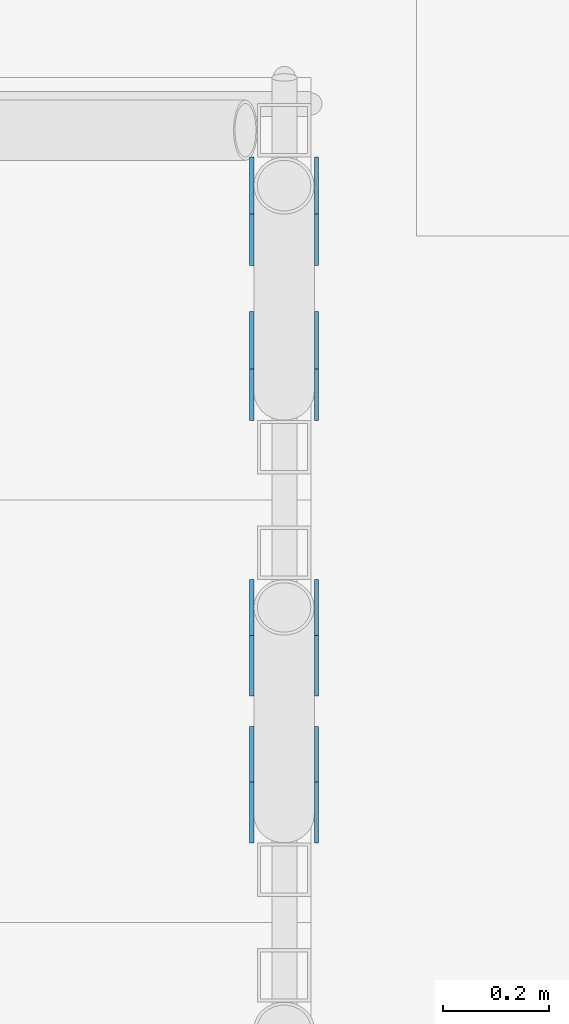
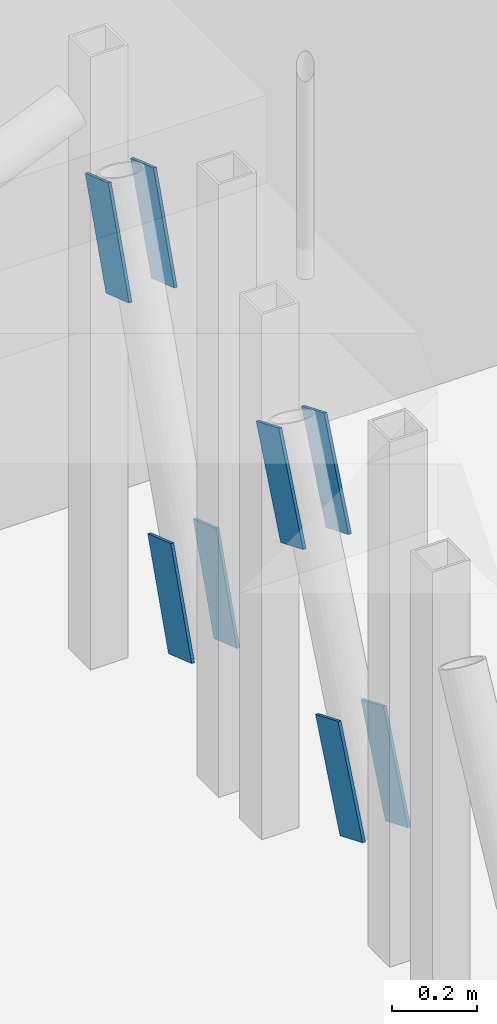
# One storey, part 102 of 139: 8 discrete accessories.
"""IFC4 building model written with IfcOpenShell, lengths in metres."""

import ifcopenshell
import ifcopenshell.guid

model = None  # the IFC model being written
_history = None  # IfcOwnerHistory: only IFC2X3 demands one
_inside = {}  # id of a spatial element -> (the spatial element, [elements in it])
_under = {}  # id of a project, library or spatial element -> (it, [spatial elements below it])
_declared = {}  # id of a project -> (the project, [libraries it declares])
_typed = {}  # id of a type object -> (the type object, [elements of that type])
_made_of = {}  # id of a material, layer set ... -> (it, [elements and type objects made of it])


def new_model(schema):
    """Start an empty IFC model of exactly this schema.

    Asked for "IFC4X3", IfcOpenShell would pick the latest addendum, in which some entities
    have other attributes; the version numbers below select the first issue.
    IFC2X3 requires an IfcOwnerHistory on every rooted entity: one is made here for all.
    """
    global model, _history
    if schema == "IFC4X3":
        model = ifcopenshell.file(schema_version=(4, 3, 0, 0))
    else:
        model = ifcopenshell.file(schema=schema)
    _inside.clear()
    _under.clear()
    _declared.clear()
    _typed.clear()
    _made_of.clear()
    _history = None
    if model.schema == "IFC2X3":
        org = make("IfcOrganization", Name="unknown")
        user = make(
            "IfcPersonAndOrganization",
            ThePerson=make("IfcPerson", FamilyName="unknown"),
            TheOrganization=org,
        )
        app = make(
            "IfcApplication",
            ApplicationDeveloper=org,
            Version="unknown",
            ApplicationFullName="unknown",
            ApplicationIdentifier="unknown",
        )
        _history = make(
            "IfcOwnerHistory",
            OwningUser=user,
            OwningApplication=app,
            ChangeAction="ADDED",
            CreationDate=0,
        )
    return model


def make(cls, **values):
    """One entity of the class cls with the attributes given. An attribute that is None is left unset."""
    return model.create_entity(
        cls, **{name: value for name, value in values.items() if value is not None}
    )


def rooted(cls, **values):
    """An entity with a GlobalId (a new one), such as an element, a storey or a relation."""
    return make(cls, GlobalId=ifcopenshell.guid.new(), OwnerHistory=_history, **values)


def si_unit(unit_type, name, prefix=None):
    """IfcSIUnit, for example si_unit("LENGTHUNIT", "METRE", prefix="MILLI")."""
    return make("IfcSIUnit", UnitType=unit_type, Prefix=prefix, Name=name)


def assignment(units):
    """IfcUnitAssignment: the units of a project."""
    return None if units is None else make("IfcUnitAssignment", Units=units)


def point(xyz):
    """IfcCartesianPoint."""
    return None if xyz is None else make("IfcCartesianPoint", Coordinates=xyz)


def direction(xyz):
    """IfcDirection."""
    return None if xyz is None else make("IfcDirection", DirectionRatios=xyz)


def frame(location, z_axis=None, x_axis=None):
    """IfcAxis2Placement3D, a coordinate frame: its origin and axes. An axis left out is left unset."""
    return make(
        "IfcAxis2Placement3D",
        Location=point(location),
        Axis=direction(z_axis),
        RefDirection=direction(x_axis),
    )


def frame_2d(location, x_axis=None):
    """IfcAxis2Placement2D, a coordinate frame in the plane: its origin and x axis."""
    return make(
        "IfcAxis2Placement2D", Location=point(location), RefDirection=direction(x_axis)
    )


def origin():
    """The frame at (0, 0, 0) with its axes left unset."""
    return frame((0.0, 0.0, 0.0))


def origin_2d():
    """The frame at (0, 0) in the plane with its x axis left unset."""
    return frame_2d((0.0, 0.0))


def place(relative_to, where):
    """IfcLocalPlacement: puts the frame where relative to a parent placement (None: the world)."""
    return make(
        "IfcLocalPlacement", PlacementRelTo=relative_to, RelativePlacement=where
    )


def context(
    kind, dimensions, precision=None, world=None, true_north=None, identifier=None
):
    """IfcGeometricRepresentationContext, for example the 3D "Model" context."""
    return make(
        "IfcGeometricRepresentationContext",
        ContextIdentifier=identifier,
        ContextType=kind,
        CoordinateSpaceDimension=dimensions,
        Precision=precision,
        WorldCoordinateSystem=world,
        TrueNorth=true_north,
    )


def subcontext(parent, identifier, kind, view, scale=None):
    """IfcGeometricRepresentationSubContext, for example "Body" below "Model"."""
    return make(
        "IfcGeometricRepresentationSubContext",
        ContextIdentifier=identifier,
        ContextType=kind,
        ParentContext=parent,
        TargetScale=scale,
        TargetView=view,
    )


def project(units=None, contexts=None):
    """IfcProject with its units and contexts."""
    return rooted(
        "IfcProject",
        Name="project",
        RepresentationContexts=contexts,
        UnitsInContext=assignment(units),
    )


def spatial(cls, under=None, at=None, **own):
    """A site, building, storey or space (cls), placed at a placement, below another one or the project."""
    s = rooted(cls, ObjectPlacement=at, **own)
    if under is not None:
        _under.setdefault(under.id(), (under, []))[1].append(s)
    return s


def profile(cls, at=None, kind="AREA", **sizes):
    """A parametric profile (cls). Its sizes go by their IFC names, for example OverallWidth=200.0."""
    return make(cls, ProfileType=kind, Position=at, **sizes)


def rectangle(**sizes):
    """IfcRectangleProfileDef."""
    return profile("IfcRectangleProfileDef", **sizes)


def extrude(swept, where, along, depth):
    """IfcExtrudedAreaSolid: the profile swept, set in the frame where, extruded along a direction by depth."""
    return make(
        "IfcExtrudedAreaSolid",
        SweptArea=swept,
        Position=where,
        ExtrudedDirection=direction(along),
        Depth=depth,
    )


def shape(context_of_items, identifier, shape_type, items):
    """IfcShapeRepresentation: the items that make up one representation, for example the "Body"."""
    return make(
        "IfcShapeRepresentation",
        ContextOfItems=context_of_items,
        RepresentationIdentifier=identifier,
        RepresentationType=shape_type,
        Items=items,
    )


def material(Name=None, Category=None):
    """IfcMaterial."""
    return make("IfcMaterial", Name=Name, Category=Category)


def material_profile(
    of_material, cross_section, Name=None, Category=None, Priority=None
):
    """IfcMaterialProfile: a cross section and its material."""
    return make(
        "IfcMaterialProfile",
        Name=Name,
        Material=of_material,
        Profile=cross_section,
        Priority=Priority,
        Category=Category,
    )


def profile_set(profiles, Name=None, composite=None):
    """IfcMaterialProfileSet."""
    return make(
        "IfcMaterialProfileSet",
        Name=Name,
        MaterialProfiles=profiles,
        CompositeProfile=composite,
    )


def made_of(thing, what):
    """Note that an element or type object is made of a material, layer set ...; save() writes the relation."""
    if what is not None:
        _made_of.setdefault(what.id(), (what, []))[1].append(thing)
    return thing


def type_object(cls, material=None, **own):
    """A type object (cls), such as IfcWallType, which elements share."""
    return made_of(rooted(cls, **own), material)


def element(
    cls,
    number,
    at=None,
    inside=None,
    cuts=None,
    type_object=None,
    material=None,
    context=None,
    identifier="Body",
    shape_type=None,
    held_by="IfcProductDefinitionShape",
    body=None,
    shapes=None,
    **own,
):
    """One element of the class cls, such as IfcWall. Its Tag is "e" and its number.

    at: its placement. inside: the storey or other place that contains it. cuts: it is an
    opening in that element (IfcRelVoidsElement). A single representation is given by context,
    identifier, shape_type and body (its items); several are given by shapes. held_by: the class
    of the entity that holds the representations. save() writes the other relations.
    """
    e = rooted(cls, Tag="e%d" % number, ObjectPlacement=at, **own)
    if body is not None:
        shapes = [shape(context, identifier, shape_type, body)]
    if shapes is not None:
        e.Representation = make(held_by, Representations=shapes)
    if inside is not None:
        _inside.setdefault(inside.id(), (inside, []))[1].append(e)
    if cuts is not None:
        rooted(
            "IfcRelVoidsElement", RelatingBuildingElement=cuts, RelatedOpeningElement=e
        )
    if type_object is not None:
        _typed.setdefault(type_object.id(), (type_object, []))[1].append(e)
    return made_of(e, material)


def aggregate(whole, parts):
    """IfcRelAggregates: a whole, such as a stair, and the parts it consists of."""
    return rooted("IfcRelAggregates", RelatingObject=whole, RelatedObjects=parts)


def save(model, path):
    """Write the relations noted so far, then the file.

    IfcRelAggregates (storeys below a building ...), IfcRelContainedInSpatialStructure (elements
    in a storey), IfcRelDefinesByType, IfcRelAssociatesMaterial and IfcRelDeclares: one each for
    every whole, place, type object, material and project.
    """
    for whole, parts in _under.values():
        aggregate(whole, parts)
    for where, things in _inside.values():
        rooted(
            "IfcRelContainedInSpatialStructure",
            RelatedElements=things,
            RelatingStructure=where,
        )
    for kind, things in _typed.values():
        rooted("IfcRelDefinesByType", RelatedObjects=things, RelatingType=kind)
    for what, things in _made_of.values():
        rooted("IfcRelAssociatesMaterial", RelatedObjects=things, RelatingMaterial=what)
    for by, libraries in _declared.values():
        rooted("IfcRelDeclares", RelatingContext=by, RelatedDefinitions=libraries)
    model.write(path)


model = new_model("IFC4")

# Units and contexts
model_context = context("Model", 3, precision=1e-05, world=origin(), true_north=direction((0.0, 1.0)))
body_context = subcontext(model_context, "Body", "Model", "MODEL_VIEW")
ifc_project = project(units=[si_unit("LENGTHUNIT", "METRE"), si_unit("AREAUNIT", "SQUARE_METRE"), si_unit("VOLUMEUNIT", "CUBIC_METRE"), si_unit("PLANEANGLEUNIT", "RADIAN"), si_unit("MASSUNIT", "GRAM", prefix="KILO")], contexts=[model_context])

# Site, building, storey
site_placement = place(None, origin())
site = spatial("IfcSite", under=ifc_project, at=site_placement, CompositionType="ELEMENT")
building_placement = place(site_placement, origin())
building = spatial("IfcBuilding", under=site, at=building_placement, Name="Verrick Yard Athletic Hall", CompositionType="ELEMENT")
storey_placement = place(building_placement, origin())
storey = spatial("IfcBuildingStorey", under=building, at=storey_placement, Name="L00", CompositionType="ELEMENT", Elevation=0.0)

# Discrete accessories
ifc_material = material(Name="Structural steel 350W (CSA G40.21)", Category="steel")
ifc_material_profile = material_profile(ifc_material, rectangle(XDim=0.300048828125, YDim=0.1142578125, at=origin_2d()), Name="Brace end cheek plate")
ifc_profile_set = profile_set([ifc_material_profile], Name="Structural steel 350W (CSA G40.21)")
discrete_accessory_type = type_object("IfcDiscreteAccessoryType", Name="Brace end cheek plate 300x114x8", PredefinedType="BRACKET", material=ifc_profile_set)
for number, where, z_axis, x_axis, name in (
    (1, (67.692138671875, 98.861083984375, 0.41552734375), (-1.0, 0.0, 0.0), (0.0, 0.38356594195, 0.923513491063), "Seating brace end plate RSB1-z7 1"),
    (2, (67.806396484375, 98.861083984375, 0.41552734375), (1.0, 0.0, 0.0), (0.0, 0.38356594195, 0.923513491063), "Seating brace end plate RSB1-z7 2"),
    (3, (67.806396484375, 99.138916015625, 1.08447265625), (1.0, 0.0, 0.0), (0.0, -0.38356594195, -0.923513491063), "Seating brace end plate RSB1-z7 1"),
    (4, (67.692138671875, 99.138916015625, 1.08447265625), (-1.0, 0.0, 0.0), (0.0, -0.38356594195, -0.923513491063), "Seating brace end plate RSB1-z7 2"),
    (5, (67.692138671875, 99.653564453125, 0.448974609375), (-1.0, 0.0, 0.0), (0.0, 0.325057902003, 0.945694115634), "Seating brace end plate RSB1-z8 1"),
    (6, (67.806396484375, 99.653564453125, 0.448974609375), (1.0, 0.0, 0.0), (0.0, 0.325057902003, 0.945694115634), "Seating brace end plate RSB1-z8 2"),
    (7, (67.806396484375, 99.9462890625, 1.301025390625), (1.0, 0.0, 0.0), (0.0, -0.325057902003, -0.945694115634), "Seating brace end plate RSB1-z8 1"),
    (8, (67.692138671875, 99.9462890625, 1.301025390625), (-1.0, 0.0, 0.0), (0.0, -0.325057902003, -0.945694115634), "Seating brace end plate RSB1-z8 2"),
):
    element("IfcDiscreteAccessory", number, at=place(storey_placement, frame(where, z_axis=z_axis, x_axis=x_axis)), inside=storey, type_object=discrete_accessory_type, Name=name, PredefinedType="BRACKET", context=body_context, shape_type="SweptSolid", body=[
        extrude(rectangle(XDim=0.300048828125, YDim=0.1142578125, at=origin_2d()), origin(), (0.0, 0.0, 1.0), 0.008056640625),
    ])

save(model, "model.ifc")
